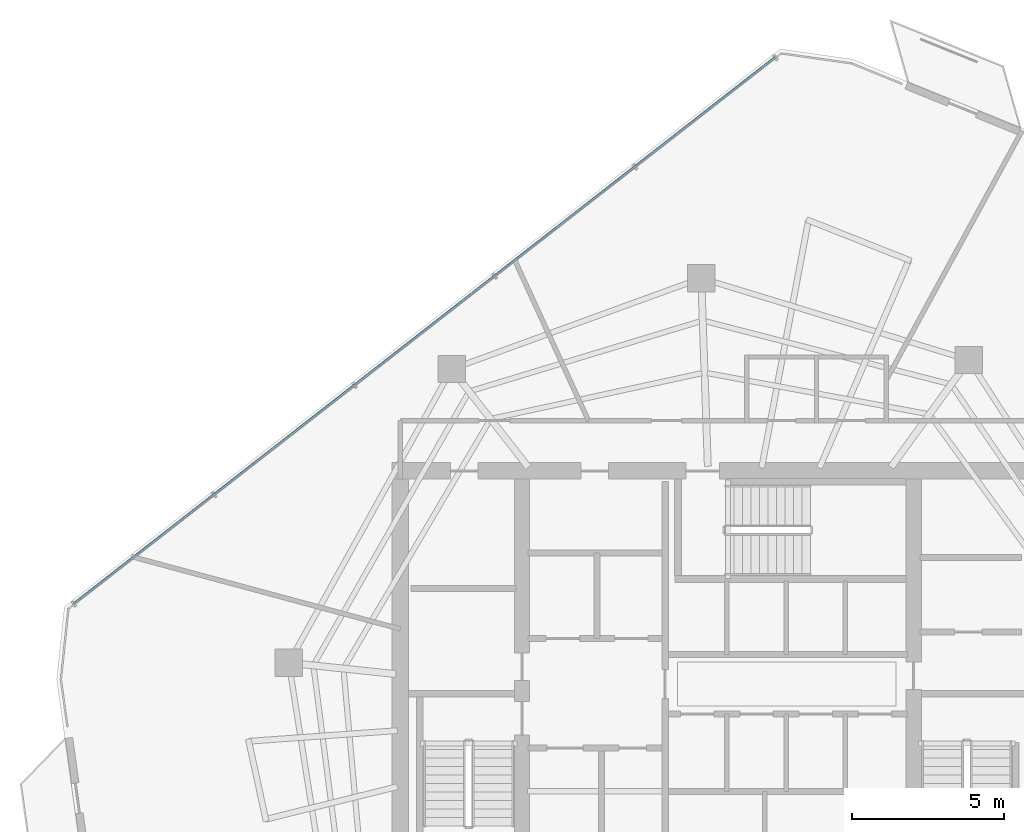
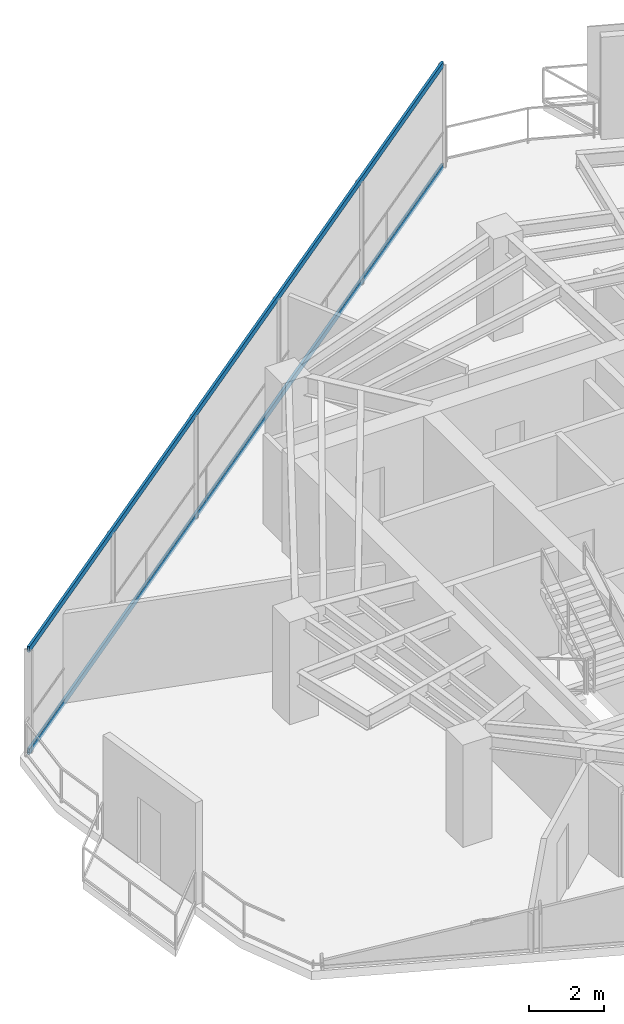
# One storey, part 12 of 19: 2 members, 1 element without a shape of its own.
"""IFC4 building model written with IfcOpenShell, lengths in metres."""

from ifc_helpers import new_model, si_unit, direction, frame, origin, origin_2d, place, context, subcontext, project, spatial, hollow_rectangle, extrude, material, layer, layer_set, material_profile, profile_set, type_object, element, aggregate, save


model = new_model("IFC4")

# Units and contexts
model_context = context("Model", 3, precision=1e-05, world=origin(), true_north=direction((0.0, 1.0)))
body_context = subcontext(model_context, "Body", "Model", "MODEL_VIEW")
ifc_project = project(units=[si_unit("LENGTHUNIT", "METRE"), si_unit("AREAUNIT", "SQUARE_METRE"), si_unit("VOLUMEUNIT", "CUBIC_METRE"), si_unit("PLANEANGLEUNIT", "RADIAN"), si_unit("MASSUNIT", "GRAM", prefix="KILO")], contexts=[model_context])

# Site, building, storey
site_placement = place(None, origin())
site = spatial("IfcSite", under=ifc_project, at=site_placement, CompositionType="ELEMENT")
building_placement = place(site_placement, origin())
building = spatial("IfcBuilding", under=site, at=building_placement, Name="Qarnah Convention Tower", CompositionType="ELEMENT")
storey_placement = place(building_placement, frame((0.0, 0.0, 209.39990234375)))
storey = spatial("IfcBuildingStorey", under=building, at=storey_placement, Name="L56", CompositionType="ELEMENT", Elevation=209.39990234375)

# Curtain wall, members
ifc_material_1 = material(Name="Tempered Low-E dark glass", Category="glass")
ifc_layer = layer(ifc_material_1, 0.174072265625)
ifc_layer_set = layer_set([ifc_layer], Name="Tempered Low-E dark glass")
curtain_wall_type = type_object("IfcCurtainWallType", Name="CWS-04", PredefinedType="NOTDEFINED", material=ifc_layer_set)
curtain_wall_placement = place(storey_placement, origin())
curtain_wall = element("IfcCurtainWall", 1, at=curtain_wall_placement, inside=storey, type_object=curtain_wall_type, Name="L56 unitised curtain wall CW-L56-F3", PredefinedType="NOTDEFINED")
ifc_material_2 = material(Name="Black anodised aluminium", Category="aluminium")
ifc_material_profile = material_profile(ifc_material_2, hollow_rectangle(XDim=0.074951171875, YDim=0.18994140625, WallThickness=0.0048828125, at=origin_2d()), Name="TRN-75X190")
ifc_profile_set = profile_set([ifc_material_profile], Name="Black anodised aluminium")
member_type = type_object("IfcMemberType", Name="TRN-T4", PredefinedType="USERDEFINED", material=ifc_profile_set)
member_1_placement = place(storey_placement, frame((16.048095703125, 29.821044921875, 0.0), z_axis=(0.788875956336, 0.61455245953, 0.0), x_axis=(-0.61455245953, 0.788875956336, 0.0)))
member_1 = element("IfcMember", 2, at=member_1_placement, type_object=member_type, Name="CW-L56-F3 transom 1", ObjectType="TRANSOM", PredefinedType="USERDEFINED", context=body_context, shape_type="SweptSolid", body=[
    extrude(hollow_rectangle(XDim=0.074951171875, YDim=0.18994140625, WallThickness=0.0048828125, at=origin_2d()), origin(), (0.0, 0.0, 1.0), 29.2734375),
])
member_2_placement = place(storey_placement, frame((16.048095703125, 29.821044921875, 3.320068359375), z_axis=(0.788875956336, 0.61455245953, 0.0), x_axis=(-0.61455245953, 0.788875956336, 0.0)))
member_2 = element("IfcMember", 3, at=member_2_placement, type_object=member_type, Name="CW-L56-F3 transom 2", ObjectType="TRANSOM", PredefinedType="USERDEFINED", context=body_context, shape_type="SweptSolid", body=[
    extrude(hollow_rectangle(XDim=0.074951171875, YDim=0.18994140625, WallThickness=0.0048828125, at=origin_2d()), origin(), (0.0, 0.0, 1.0), 29.2734375),
])
aggregate(curtain_wall, [member_1, member_2])

save(model, "model.ifc")
